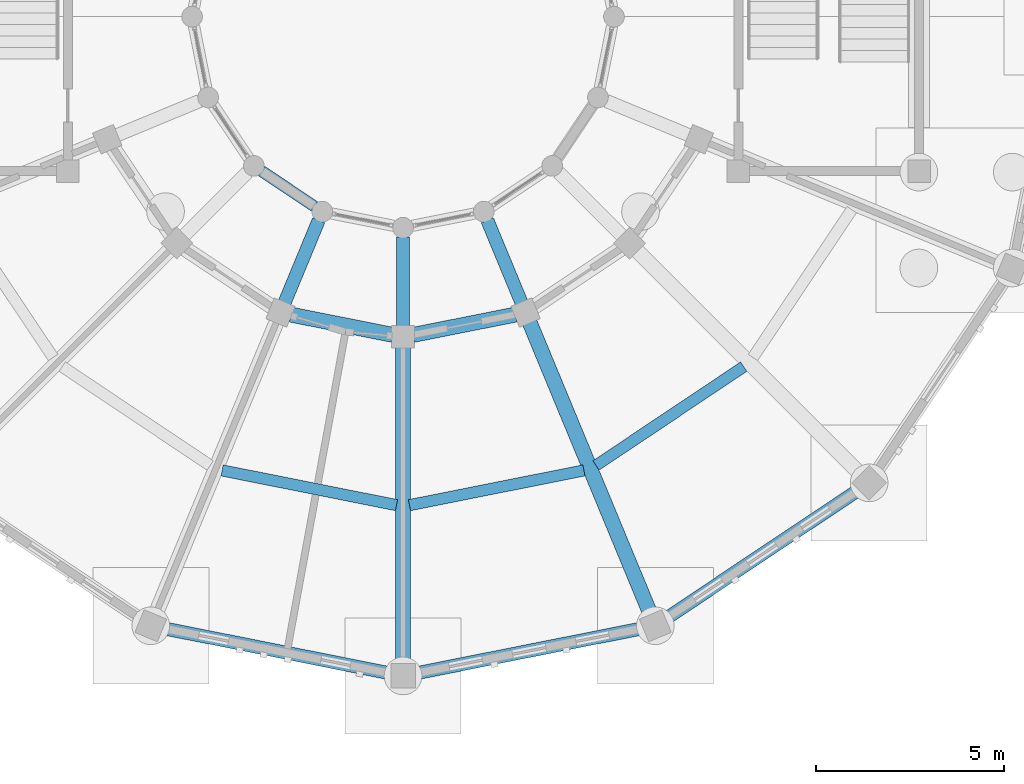
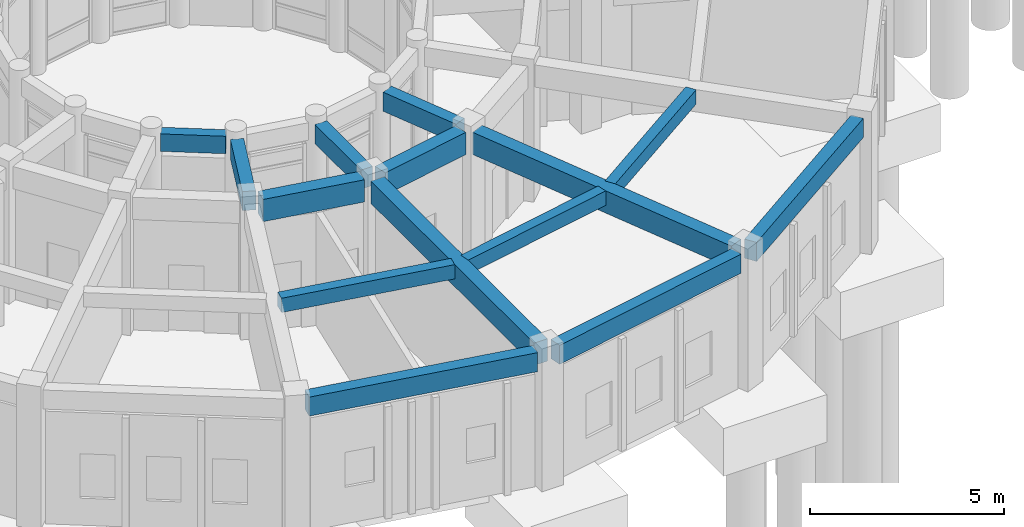
# One storey, part 17 of 153: 14 beams.
"""IFC4 building model written with IfcOpenShell, lengths in metres."""

from ifc_helpers import new_model, si_unit, direction, frame, origin, origin_2d, place, context, subcontext, project, spatial, rectangle, extrude, material, material_profile, profile_set, type_object, element, save


model = new_model("IFC4")

# Units and contexts
model_context = context("Model", 3, precision=1e-05, world=origin(), true_north=direction((0.0, 1.0)))
body_context = subcontext(model_context, "Body", "Model", "MODEL_VIEW")
ifc_project = project(units=[si_unit("LENGTHUNIT", "METRE"), si_unit("AREAUNIT", "SQUARE_METRE"), si_unit("VOLUMEUNIT", "CUBIC_METRE"), si_unit("PLANEANGLEUNIT", "RADIAN"), si_unit("MASSUNIT", "GRAM", prefix="KILO")], contexts=[model_context])

# Site, building, storey
site_placement = place(None, origin())
site = spatial("IfcSite", under=ifc_project, at=site_placement, CompositionType="ELEMENT")
building_placement = place(site_placement, origin())
building = spatial("IfcBuilding", under=site, at=building_placement, Name="Celadon Cloister-Ring School", CompositionType="ELEMENT")
storey_placement = place(building_placement, origin())
storey = spatial("IfcBuildingStorey", under=building, at=storey_placement, Name="L00", CompositionType="ELEMENT", Elevation=0.0)

# Beams
ifc_material_1 = material(Name="Concrete C35/45", Category="concrete")
ifc_material_profile_1 = material_profile(ifc_material_1, rectangle(XDim=0.35009765625, YDim=0.60009765625, at=origin_2d()), Name="RC350X600")
ifc_profile_set_1 = profile_set([ifc_material_profile_1], Name="Concrete C35/45")
beam_type_1 = type_object("IfcBeamType", Name="BT-02", PredefinedType="BEAM", material=ifc_profile_set_1)
for number, where, z_axis, x_axis, name in (
    (1, (17.052001953125, 12.40087890625, 3.9599609375), (0.382724033014, 0.923862714127, 0.0), (-0.923862714127, 0.382724033014, 0.0), "Beam 0865"),
    (2, (20.199951171875, 11.77490234375, 3.9599609375), (0.0, 1.0, 0.0), (-1.0, 0.0, 0.0), "Beam 0867"),
    (3, (23.347900390625, 12.40087890625, 3.9599609375), (-0.382724033014, 0.923862714127, 0.0), (-0.923862714127, -0.382724033014, 0.0), "Beam 0869"),
):
    element("IfcBeam", number, at=place(storey_placement, frame(where, z_axis=z_axis, x_axis=x_axis)), inside=storey, type_object=beam_type_1, Name=name, PredefinedType="BEAM", context=body_context, shape_type="SweptSolid", body=[
        extrude(rectangle(XDim=0.35009765625, YDim=0.60009765625, at=origin_2d()), origin(), (0.0, 0.0, 1.0), 2.375),
    ])
ifc_material_2 = material(Name="Concrete C35/45", Category="concrete")
ifc_material_profile_2 = material_profile(ifc_material_2, rectangle(XDim=0.39990234375, YDim=0.699951171875, at=origin_2d()), Name="RC400X700")
ifc_profile_set_2 = profile_set([ifc_material_profile_2], Name="Concrete C35/45")
beam_type_2 = type_object("IfcBeamType", Name="GT-03", PredefinedType="USERDEFINED", material=ifc_profile_set_2)
beam_1_placement = place(storey_placement, frame((20.199951171875, 2.800048828125, 3.909912109375), z_axis=(0.0, 1.0, 0.0), x_axis=(-1.0, 0.0, 0.0)))
element("IfcBeam", 4, at=beam_1_placement, inside=storey, type_object=beam_type_2, Name="Beam 0866", ObjectType="GIRDER", PredefinedType="USERDEFINED", context=body_context, shape_type="SweptSolid", body=[
    extrude(rectangle(XDim=0.39990234375, YDim=0.699951171875, at=origin_2d()), origin(), (0.0, 0.0, 1.0), 8.425048828125),
])
beam_2_placement = place(storey_placement, frame((26.781982421875, 4.10888671875, 3.909912109375), z_axis=(-0.382639277503, 0.923897820818, 0.0), x_axis=(-0.923897820818, -0.382639277503, 0.0)))
element("IfcBeam", 5, at=beam_2_placement, inside=storey, type_object=beam_type_2, Name="Beam 0868", ObjectType="GIRDER", PredefinedType="USERDEFINED", context=body_context, shape_type="SweptSolid", body=[
    extrude(rectangle(XDim=0.39990234375, YDim=0.699951171875, at=origin_2d()), origin(), (0.0, 0.0, 1.0), 8.42529296875),
])
beam_3_placement = place(storey_placement, frame((17.217041015625, 12.093017578125, 3.909912109375), z_axis=(0.980824346114, -0.194893822554, 0.0), x_axis=(0.194893822554, 0.980824346114, 0.0)))
element("IfcBeam", 6, at=beam_3_placement, inside=storey, type_object=beam_type_2, Name="Beam 0907", ObjectType="GIRDER", PredefinedType="USERDEFINED", context=body_context, shape_type="SweptSolid", body=[
    extrude(rectangle(XDim=0.39990234375, YDim=0.699951171875, at=origin_2d()), origin(), (0.0, 0.0, 1.0), 2.765869140625),
])
beam_4_placement = place(storey_placement, frame((20.469970703125, 11.553955078125, 3.909912109375), z_axis=(0.980827698382, 0.194876951141, 0.0), x_axis=(-0.194876951141, 0.980827698382, 0.0)))
element("IfcBeam", 7, at=beam_4_placement, inside=storey, type_object=beam_type_2, Name="Beam 0911", ObjectType="GIRDER", PredefinedType="USERDEFINED", context=body_context, shape_type="SweptSolid", body=[
    extrude(rectangle(XDim=0.39990234375, YDim=0.699951171875, at=origin_2d()), origin(), (0.0, 0.0, 1.0), 2.76611328125),
])
ifc_material_3 = material(Name="Concrete C35/45", Category="concrete")
ifc_material_profile_3 = material_profile(ifc_material_3, rectangle(XDim=0.300048828125, YDim=0.449951171875, at=origin_2d()), Name="RC300X450")
ifc_profile_set_3 = profile_set([ifc_material_profile_3], Name="Concrete C35/45")
beam_type_3 = type_object("IfcBeamType", Name="JT-01", PredefinedType="JOIST", material=ifc_profile_set_3)
beam_5_placement = place(storey_placement, frame((15.39697265625, 7.9560546875, 4.034912109375), z_axis=(0.980747359302, -0.195280867525, 0.0), x_axis=(0.195280867525, 0.980747359302, 0.0)))
element("IfcBeam", 8, at=beam_5_placement, inside=storey, type_object=beam_type_3, Name="Beam 0909", PredefinedType="JOIST", context=body_context, shape_type="SweptSolid", body=[
    extrude(rectangle(XDim=0.300048828125, YDim=0.449951171875, at=origin_2d()), origin(), (0.0, 0.0, 1.0), 4.721923828125),
])
beam_6_placement = place(storey_placement, frame((20.3720703125, 7.033935546875, 4.034912109375), z_axis=(0.980745387492, 0.195290770169, 0.0), x_axis=(-0.195290770169, 0.980745387492, 0.0)))
element("IfcBeam", 9, at=beam_6_placement, inside=storey, type_object=beam_type_3, Name="Beam 0913", PredefinedType="JOIST", context=body_context, shape_type="SweptSolid", body=[
    extrude(rectangle(XDim=0.300048828125, YDim=0.449951171875, at=origin_2d()), origin(), (0.0, 0.0, 1.0), 4.7216796875),
])
beam_7_placement = place(storey_placement, frame((25.321044921875, 8.0869140625, 4.034912109375), z_axis=(0.831333623542, 0.55577370068, 0.0), x_axis=(-0.55577370068, 0.831333623542, 0.0)))
element("IfcBeam", 10, at=beam_7_placement, inside=storey, type_object=beam_type_3, Name="Beam 0917", PredefinedType="JOIST", context=body_context, shape_type="SweptSolid", body=[
    extrude(rectangle(XDim=0.300048828125, YDim=0.449951171875, at=origin_2d()), origin(), (0.0, 0.0, 1.0), 4.721435546875),
])
ifc_material_4 = material(Name="Concrete C35/45", Category="concrete")
ifc_material_profile_4 = material_profile(ifc_material_4, rectangle(XDim=0.35009765625, YDim=0.60009765625, at=origin_2d()), Name="RC350X600")
ifc_profile_set_4 = profile_set([ifc_material_profile_4], Name="Concrete C35/45")
beam_type_4 = type_object("IfcBeamType", Name="SP-01", PredefinedType="SPANDREL", material=ifc_profile_set_4)
beam_8_placement = place(storey_placement, frame((13.797119140625, 3.77294921875, 3.9599609375), z_axis=(0.980824151909, -0.194894799908, 0.0), x_axis=(0.194894799908, 0.980824151909, 0.0)))
element("IfcBeam", 11, at=beam_8_placement, inside=storey, type_object=beam_type_4, Name="Beam 0906", PredefinedType="SPANDREL", context=body_context, shape_type="SweptSolid", body=[
    extrude(rectangle(XDim=0.35009765625, YDim=0.60009765625, at=origin_2d()), origin(), (0.0, 0.0, 1.0), 6.228271484375),
])
for number, where, z_axis, x_axis, name in (
    (12, (20.493896484375, 2.55908203125, 3.9599609375), (0.980825640738, 0.194887307107, 0.0), (-0.194887307107, 0.980825640738, 0.0), "Beam 0910"),
    (13, (27.14599609375, 3.9990234375, 3.9599609375), (0.831507154531, 0.555514042993, 0.0), (-0.555514042993, 0.831507154531, 0.0), "Beam 0914"),
):
    element("IfcBeam", number, at=place(storey_placement, frame(where, z_axis=z_axis, x_axis=x_axis)), inside=storey, type_object=beam_type_4, Name=name, PredefinedType="SPANDREL", context=body_context, shape_type="SweptSolid", body=[
        extrude(rectangle(XDim=0.35009765625, YDim=0.60009765625, at=origin_2d()), origin(), (0.0, 0.0, 1.0), 6.228515625),
    ])
ifc_material_5 = material(Name="Concrete C35/45", Category="concrete")
ifc_material_profile_5 = material_profile(ifc_material_5, rectangle(XDim=0.300048828125, YDim=0.550048828125, at=origin_2d()), Name="RC300X550")
ifc_profile_set_5 = profile_set([ifc_material_profile_5], Name="Concrete C35/45")
beam_type_5 = type_object("IfcBeamType", Name="SP-02", PredefinedType="SPANDREL", material=ifc_profile_set_5)
beam_9_placement = place(storey_placement, frame((16.447998046875, 15.90087890625, 3.985107421875), z_axis=(0.831581859135, -0.555402207016, 0.0), x_axis=(0.555402207016, 0.831581859135, 0.0)))
element("IfcBeam", 14, at=beam_9_placement, inside=storey, type_object=beam_type_5, Name="Beam 0904", PredefinedType="SPANDREL", context=body_context, shape_type="SweptSolid", body=[
    extrude(rectangle(XDim=0.300048828125, YDim=0.550048828125, at=origin_2d()), origin(), (0.0, 0.0, 1.0), 1.684814453125),
])

save(model, "model.ifc")
